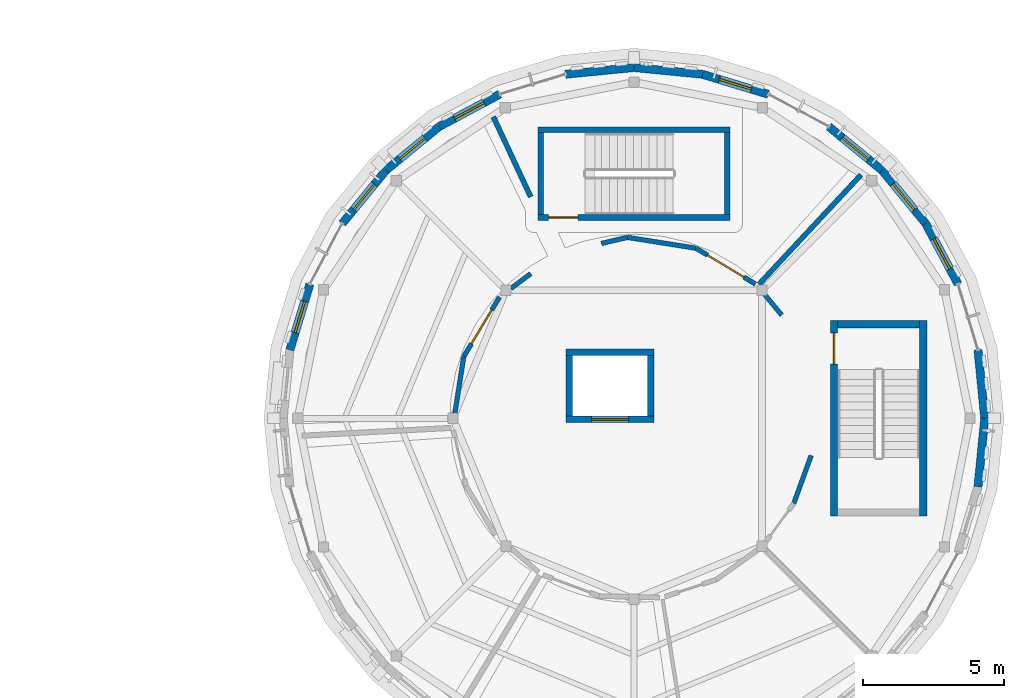
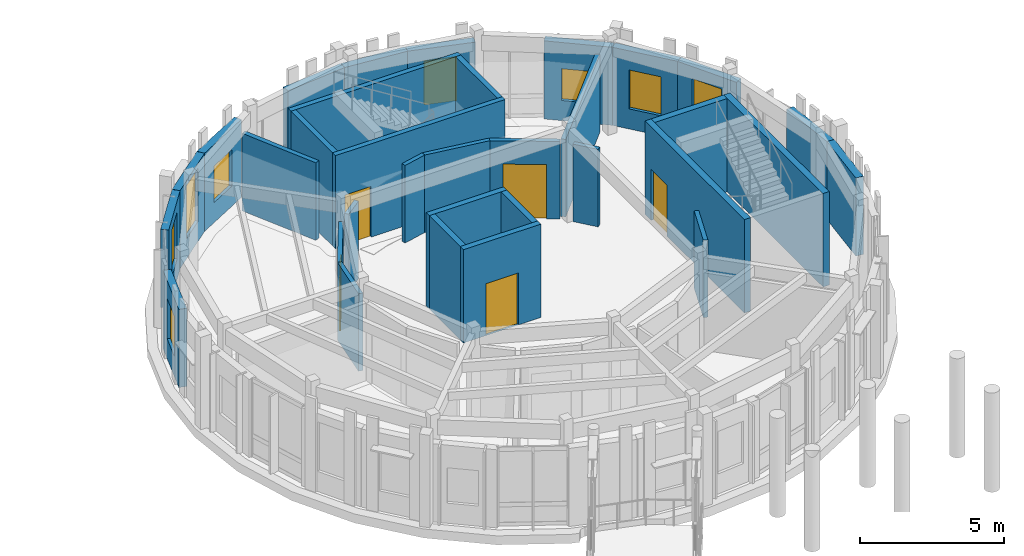
# One storey, part 56 of 80: 33 walls, 8 windows, 5 doors, 13 openings.
"""IFC4 building model written with IfcOpenShell, lengths in metres."""

import ifcopenshell
import ifcopenshell.guid

model = None  # the IFC model being written
_history = None  # IfcOwnerHistory: only IFC2X3 demands one
_inside = {}  # id of a spatial element -> (the spatial element, [elements in it])
_under = {}  # id of a project, library or spatial element -> (it, [spatial elements below it])
_declared = {}  # id of a project -> (the project, [libraries it declares])
_typed = {}  # id of a type object -> (the type object, [elements of that type])
_made_of = {}  # id of a material, layer set ... -> (it, [elements and type objects made of it])


def new_model(schema):
    """Start an empty IFC model of exactly this schema.

    Asked for "IFC4X3", IfcOpenShell would pick the latest addendum, in which some entities
    have other attributes; the version numbers below select the first issue.
    IFC2X3 requires an IfcOwnerHistory on every rooted entity: one is made here for all.
    """
    global model, _history
    if schema == "IFC4X3":
        model = ifcopenshell.file(schema_version=(4, 3, 0, 0))
    else:
        model = ifcopenshell.file(schema=schema)
    _inside.clear()
    _under.clear()
    _declared.clear()
    _typed.clear()
    _made_of.clear()
    _history = None
    if model.schema == "IFC2X3":
        org = make("IfcOrganization", Name="unknown")
        user = make(
            "IfcPersonAndOrganization",
            ThePerson=make("IfcPerson", FamilyName="unknown"),
            TheOrganization=org,
        )
        app = make(
            "IfcApplication",
            ApplicationDeveloper=org,
            Version="unknown",
            ApplicationFullName="unknown",
            ApplicationIdentifier="unknown",
        )
        _history = make(
            "IfcOwnerHistory",
            OwningUser=user,
            OwningApplication=app,
            ChangeAction="ADDED",
            CreationDate=0,
        )
    return model


def make(cls, **values):
    """One entity of the class cls with the attributes given. An attribute that is None is left unset."""
    return model.create_entity(
        cls, **{name: value for name, value in values.items() if value is not None}
    )


def rooted(cls, **values):
    """An entity with a GlobalId (a new one), such as an element, a storey or a relation."""
    return make(cls, GlobalId=ifcopenshell.guid.new(), OwnerHistory=_history, **values)


def si_unit(unit_type, name, prefix=None):
    """IfcSIUnit, for example si_unit("LENGTHUNIT", "METRE", prefix="MILLI")."""
    return make("IfcSIUnit", UnitType=unit_type, Prefix=prefix, Name=name)


def assignment(units):
    """IfcUnitAssignment: the units of a project."""
    return None if units is None else make("IfcUnitAssignment", Units=units)


def point(xyz):
    """IfcCartesianPoint."""
    return None if xyz is None else make("IfcCartesianPoint", Coordinates=xyz)


def direction(xyz):
    """IfcDirection."""
    return None if xyz is None else make("IfcDirection", DirectionRatios=xyz)


def frame(location, z_axis=None, x_axis=None):
    """IfcAxis2Placement3D, a coordinate frame: its origin and axes. An axis left out is left unset."""
    return make(
        "IfcAxis2Placement3D",
        Location=point(location),
        Axis=direction(z_axis),
        RefDirection=direction(x_axis),
    )


def frame_2d(location, x_axis=None):
    """IfcAxis2Placement2D, a coordinate frame in the plane: its origin and x axis."""
    return make(
        "IfcAxis2Placement2D", Location=point(location), RefDirection=direction(x_axis)
    )


def origin():
    """The frame at (0, 0, 0) with its axes left unset."""
    return frame((0.0, 0.0, 0.0))


def place(relative_to, where):
    """IfcLocalPlacement: puts the frame where relative to a parent placement (None: the world)."""
    return make(
        "IfcLocalPlacement", PlacementRelTo=relative_to, RelativePlacement=where
    )


def context(
    kind, dimensions, precision=None, world=None, true_north=None, identifier=None
):
    """IfcGeometricRepresentationContext, for example the 3D "Model" context."""
    return make(
        "IfcGeometricRepresentationContext",
        ContextIdentifier=identifier,
        ContextType=kind,
        CoordinateSpaceDimension=dimensions,
        Precision=precision,
        WorldCoordinateSystem=world,
        TrueNorth=true_north,
    )


def subcontext(parent, identifier, kind, view, scale=None):
    """IfcGeometricRepresentationSubContext, for example "Body" below "Model"."""
    return make(
        "IfcGeometricRepresentationSubContext",
        ContextIdentifier=identifier,
        ContextType=kind,
        ParentContext=parent,
        TargetScale=scale,
        TargetView=view,
    )


def project(units=None, contexts=None):
    """IfcProject with its units and contexts."""
    return rooted(
        "IfcProject",
        Name="project",
        RepresentationContexts=contexts,
        UnitsInContext=assignment(units),
    )


def spatial(cls, under=None, at=None, **own):
    """A site, building, storey or space (cls), placed at a placement, below another one or the project."""
    s = rooted(cls, ObjectPlacement=at, **own)
    if under is not None:
        _under.setdefault(under.id(), (under, []))[1].append(s)
    return s


def profile(cls, at=None, kind="AREA", **sizes):
    """A parametric profile (cls). Its sizes go by their IFC names, for example OverallWidth=200.0."""
    return make(cls, ProfileType=kind, Position=at, **sizes)


def rectangle(**sizes):
    """IfcRectangleProfileDef."""
    return profile("IfcRectangleProfileDef", **sizes)


def extrude(swept, where, along, depth):
    """IfcExtrudedAreaSolid: the profile swept, set in the frame where, extruded along a direction by depth."""
    return make(
        "IfcExtrudedAreaSolid",
        SweptArea=swept,
        Position=where,
        ExtrudedDirection=direction(along),
        Depth=depth,
    )


def shape(context_of_items, identifier, shape_type, items):
    """IfcShapeRepresentation: the items that make up one representation, for example the "Body"."""
    return make(
        "IfcShapeRepresentation",
        ContextOfItems=context_of_items,
        RepresentationIdentifier=identifier,
        RepresentationType=shape_type,
        Items=items,
    )


def material(Name=None, Category=None):
    """IfcMaterial."""
    return make("IfcMaterial", Name=Name, Category=Category)


def layer(
    of_material, thickness, ventilated=None, Name=None, Category=None, Priority=None
):
    """IfcMaterialLayer: one layer of a wall or slab, of a material (None: an air gap)."""
    return make(
        "IfcMaterialLayer",
        Material=of_material,
        LayerThickness=thickness,
        IsVentilated=ventilated,
        Name=Name,
        Category=Category,
        Priority=Priority,
    )


def layer_set(layers, Name=None):
    """IfcMaterialLayerSet."""
    return make("IfcMaterialLayerSet", MaterialLayers=layers, LayerSetName=Name)


def made_of(thing, what):
    """Note that an element or type object is made of a material, layer set ...; save() writes the relation."""
    if what is not None:
        _made_of.setdefault(what.id(), (what, []))[1].append(thing)
    return thing


def type_object(cls, material=None, **own):
    """A type object (cls), such as IfcWallType, which elements share."""
    return made_of(rooted(cls, **own), material)


def element(
    cls,
    number,
    at=None,
    inside=None,
    cuts=None,
    type_object=None,
    material=None,
    context=None,
    identifier="Body",
    shape_type=None,
    held_by="IfcProductDefinitionShape",
    body=None,
    shapes=None,
    **own,
):
    """One element of the class cls, such as IfcWall. Its Tag is "e" and its number.

    at: its placement. inside: the storey or other place that contains it. cuts: it is an
    opening in that element (IfcRelVoidsElement). A single representation is given by context,
    identifier, shape_type and body (its items); several are given by shapes. held_by: the class
    of the entity that holds the representations. save() writes the other relations.
    """
    e = rooted(cls, Tag="e%d" % number, ObjectPlacement=at, **own)
    if body is not None:
        shapes = [shape(context, identifier, shape_type, body)]
    if shapes is not None:
        e.Representation = make(held_by, Representations=shapes)
    if inside is not None:
        _inside.setdefault(inside.id(), (inside, []))[1].append(e)
    if cuts is not None:
        rooted(
            "IfcRelVoidsElement", RelatingBuildingElement=cuts, RelatedOpeningElement=e
        )
    if type_object is not None:
        _typed.setdefault(type_object.id(), (type_object, []))[1].append(e)
    return made_of(e, material)


def fill(opening, filler):
    """IfcRelFillsElement: the door or window that sits in an opening."""
    return rooted(
        "IfcRelFillsElement",
        RelatingOpeningElement=opening,
        RelatedBuildingElement=filler,
    )


def aggregate(whole, parts):
    """IfcRelAggregates: a whole, such as a stair, and the parts it consists of."""
    return rooted("IfcRelAggregates", RelatingObject=whole, RelatedObjects=parts)


def save(model, path):
    """Write the relations noted so far, then the file.

    IfcRelAggregates (storeys below a building ...), IfcRelContainedInSpatialStructure (elements
    in a storey), IfcRelDefinesByType, IfcRelAssociatesMaterial and IfcRelDeclares: one each for
    every whole, place, type object, material and project.
    """
    for whole, parts in _under.values():
        aggregate(whole, parts)
    for where, things in _inside.values():
        rooted(
            "IfcRelContainedInSpatialStructure",
            RelatedElements=things,
            RelatingStructure=where,
        )
    for kind, things in _typed.values():
        rooted("IfcRelDefinesByType", RelatedObjects=things, RelatingType=kind)
    for what, things in _made_of.values():
        rooted("IfcRelAssociatesMaterial", RelatedObjects=things, RelatingMaterial=what)
    for by, libraries in _declared.values():
        rooted("IfcRelDeclares", RelatingContext=by, RelatedDefinitions=libraries)
    model.write(path)


model = new_model("IFC4")

# Units and contexts
model_context = context("Model", 3, precision=1e-05, world=origin(), true_north=direction((0.0, 1.0)))
body_context = subcontext(model_context, "Body", "Model", "MODEL_VIEW")
ifc_project = project(units=[si_unit("LENGTHUNIT", "METRE"), si_unit("AREAUNIT", "SQUARE_METRE"), si_unit("VOLUMEUNIT", "CUBIC_METRE"), si_unit("PLANEANGLEUNIT", "RADIAN"), si_unit("MASSUNIT", "GRAM", prefix="KILO")], contexts=[model_context])

# Site, building, storey
site_placement = place(None, origin())
site = spatial("IfcSite", under=ifc_project, at=site_placement, CompositionType="ELEMENT")
building_placement = place(site_placement, origin())
building = spatial("IfcBuilding", under=site, at=building_placement, Name="Aldenvaro Health Centre", CompositionType="ELEMENT")
storey_placement = place(building_placement, frame((0.0, 0.0, 4.550048828125)))
storey = spatial("IfcBuildingStorey", under=building, at=storey_placement, Name="L01", CompositionType="ELEMENT", Elevation=4.550048828125)

# Wall, opening, door
ifc_material_1 = material(Name="Gypsum Stud Acoustic Assembly")
ifc_layer_1 = layer(ifc_material_1, 0.1650390625, Name="Gypsum Stud Acoustic Assembly")
ifc_layer_set_1 = layer_set([ifc_layer_1], Name="Gypsum Stud Acoustic Assembly")
wall_type_1 = type_object("IfcWallType", Name="WL-COR-165", PredefinedType="PARTITIONING", material=ifc_layer_set_1)
wall_1_placement = place(storey_placement, frame((158.794921875, 104.2451171875, 0.0), z_axis=(0.0, 0.0, 1.0), x_axis=(-0.856349289231, 0.51639703217, 0.0)))
wall_1 = element("IfcWall", 1, at=wall_1_placement, inside=storey, type_object=wall_type_1, Name="D2 L01 corridor wall 01.1", PredefinedType="PARTITIONING", context=body_context, shape_type="SweptSolid", body=[
    extrude(rectangle(XDim=2.453125, YDim=0.1650390625, at=frame_2d((1.2265625, 0.0))), origin(), (0.0, 0.0, 1.0), 3.283935546875),
])
opening_1_placement = place(wall_1_placement, frame((0.47705078125, 0.0, 0.0)))
opening_1 = element("IfcOpeningElement", 2, at=opening_1_placement, cuts=wall_1, Name="Opening SD-01", PredefinedType="OPENING", context=body_context, shape_type="SweptSolid", body=[
    extrude(rectangle(XDim=1.5, YDim=2.300048828125, at=frame_2d((0.75, 1.14990234375))), frame((0.0, 0.092529296875, 0.0), z_axis=(0.0, -1.0, 0.0), x_axis=(1.0, 0.0, 0.0)), (0.0, 0.0, 1.0), 0.18505859375),
])
ifc_material_2 = material(Name="Hygienic Hermetic Theatre Door")
door_type_1 = type_object("IfcDoorType", Name="DR-SRG-150", OperationType="NOTDEFINED", PredefinedType="DOOR", material=ifc_material_2)
door_1_placement = place(opening_1_placement, origin())
door_1 = element("IfcDoor", 3, at=door_1_placement, inside=storey, type_object=door_type_1, Name="Day Surgery Operating Suite 01 Door", OperationType="SINGLE_SWING_LEFT", OverallHeight=2.300048828125, OverallWidth=1.5, PredefinedType="DOOR", context=body_context, shape_type="SweptSolid", body=[
    extrude(rectangle(XDim=1.5, YDim=2.300048828125, at=frame_2d((0.75, 1.14990234375))), frame((0.0, 0.02490234375, 0.0), z_axis=(0.0, -1.0, 0.0), x_axis=(1.0, 0.0, 0.0)), (0.0, 0.0, 1.0), 0.050048828125),
])
fill(opening_1, door_1)

# Walls
wall_2_placement = place(storey_placement, frame((156.694091796875, 105.511962890625, 0.0), z_axis=(0.0, 0.0, 1.0), x_axis=(-0.987672430412, 0.156534884941, 0.0)))
element("IfcWall", 4, at=wall_2_placement, inside=storey, type_object=wall_type_1, Name="D2 L01 corridor wall 01.2", PredefinedType="PARTITIONING", context=body_context, shape_type="SweptSolid", body=[
    extrude(rectangle(XDim=2.453369140625, YDim=0.1650390625, at=frame_2d((1.2265625, 0.0))), origin(), (0.0, 0.0, 1.0), 3.283935546875),
])
wall_3_placement = place(storey_placement, frame((154.27099609375, 105.89599609375, 0.0), z_axis=(0.0, 0.0, 1.0), x_axis=(-0.974019949823, -0.226462220571, 0.0)))
element("IfcWall", 5, at=wall_3_placement, inside=storey, type_object=wall_type_1, Name="D2 L01 corridor wall 01.3", PredefinedType="PARTITIONING", context=body_context, shape_type="SweptSolid", body=[
    extrude(rectangle(XDim=0.945556640625, YDim=0.1650390625, at=frame_2d((0.47265625, 0.0))), origin(), (0.0, 0.0, 1.0), 3.283935546875),
])
wall_4_placement = place(storey_placement, frame((150.85009765625, 104.614013671875, 0.0), z_axis=(0.0, 0.0, 1.0), x_axis=(-0.799731853613, -0.600357362174, 0.0)))
element("IfcWall", 6, at=wall_4_placement, inside=storey, type_object=wall_type_1, Name="D2 L01 corridor wall 02.1", PredefinedType="PARTITIONING", context=body_context, shape_type="SweptSolid", body=[
    extrude(rectangle(XDim=0.874267578125, YDim=0.1650390625, at=frame_2d((0.43701171875, 0.0))), origin(), (0.0, 0.0, 1.0), 3.283935546875),
])

# Wall, opening, door
wall_5_placement = place(storey_placement, frame((149.748046875, 103.787109375, 0.0), z_axis=(0.0, 0.0, 1.0), x_axis=(-0.515197917959, -0.857071237022, 0.0)))
wall_5 = element("IfcWall", 7, at=wall_5_placement, inside=storey, type_object=wall_type_1, Name="D2 L01 corridor wall 02.2", PredefinedType="PARTITIONING", context=body_context, shape_type="SweptSolid", body=[
    extrude(rectangle(XDim=2.453857421875, YDim=0.1650390625, at=frame_2d((1.22705078125, 0.0))), origin(), (0.0, 0.0, 1.0), 3.283935546875),
])
opening_2_placement = place(wall_5_placement, frame((0.527099609375, 0.0, 0.0)))
opening_2 = element("IfcOpeningElement", 8, at=opening_2_placement, cuts=wall_5, Name="Opening SD-02", PredefinedType="OPENING", context=body_context, shape_type="SweptSolid", body=[
    extrude(rectangle(XDim=1.39990234375, YDim=2.25, at=frame_2d((0.699951171875, 1.125))), frame((0.0, 0.092529296875, 0.0), z_axis=(0.0, -1.0, 0.0), x_axis=(1.0, 0.0, 0.0)), (0.0, 0.0, 1.0), 0.18505859375),
])
ifc_material_3 = material(Name="Hygienic Scrub Suite Door")
door_type_2 = type_object("IfcDoorType", Name="DR-SRG-140", OperationType="NOTDEFINED", PredefinedType="DOOR", material=ifc_material_3)
door_2_placement = place(opening_2_placement, origin())
door_2 = element("IfcDoor", 9, at=door_2_placement, inside=storey, type_object=door_type_2, Name="Day Surgery Operating Suite 02 Door", OperationType="SINGLE_SWING_RIGHT", OverallHeight=2.25, OverallWidth=1.39990234375, PredefinedType="DOOR", context=body_context, shape_type="SweptSolid", body=[
    extrude(rectangle(XDim=1.39990234375, YDim=2.25, at=frame_2d((0.699951171875, 1.125))), frame((0.0, 0.02490234375, 0.0), z_axis=(0.0, -1.0, 0.0), x_axis=(1.0, 0.0, 0.0)), (0.0, 0.0, 1.0), 0.050048828125),
])
fill(opening_2, door_2)

# Walls
wall_6_placement = place(storey_placement, frame((148.48388671875, 101.68408203125, 0.0), z_axis=(0.0, 0.0, 1.0), x_axis=(-0.154797832722, -0.98794616806, 0.0)))
element("IfcWall", 10, at=wall_6_placement, inside=storey, type_object=wall_type_1, Name="D2 L01 corridor wall 02.3", PredefinedType="PARTITIONING", context=body_context, shape_type="SweptSolid", body=[
    extrude(rectangle(XDim=2.034423828125, YDim=0.1650390625, at=frame_2d((1.01708984375, 0.0))), origin(), (0.0, 0.0, 1.0), 3.283935546875),
])
wall_7_placement = place(storey_placement, frame((160.15087890625, 96.4951171875, 0.0), z_axis=(0.0, 0.0, 1.0), x_axis=(0.340838314518, 0.940121930048, 0.0)))
element("IfcWall", 11, at=wall_7_placement, inside=storey, type_object=wall_type_1, Name="D2 L01 corridor wall 06.2", PredefinedType="PARTITIONING", context=body_context, shape_type="SweptSolid", body=[
    extrude(rectangle(XDim=1.798583984375, YDim=0.1650390625, at=frame_2d((0.8994140625, 0.0))), origin(), (0.0, 0.0, 1.0), 3.283935546875),
])
wall_8_placement = place(storey_placement, frame((159.721923828125, 103.14990234375, 0.0), z_axis=(0.0, 0.0, 1.0), x_axis=(-0.639179373109, 0.769057688988, 0.0)))
element("IfcWall", 12, at=wall_8_placement, inside=storey, type_object=wall_type_1, Name="D2 L01 corridor wall 07.1", PredefinedType="PARTITIONING", context=body_context, shape_type="SweptSolid", body=[
    extrude(rectangle(XDim=0.932373046875, YDim=0.1650390625, at=frame_2d((0.46630859375, 0.0))), origin(), (0.0, 0.0, 1.0), 3.283935546875),
])
ifc_material_4 = material(Name="Cross-laminated timber CLT E1", Category="wood")
ifc_layer_2 = layer(ifc_material_4, 0.2900390625, Name="Cross-laminated timber CLT E1", Category="wood")
ifc_layer_set_2 = layer_set([ifc_layer_2], Name="Cross-laminated timber CLT E1")
wall_type_2 = type_object("IfcWallType", Name="WL-EXT-290", PredefinedType="ELEMENTEDWALL", material=ifc_layer_set_2)
wall_9_placement = place(storey_placement, frame((166.89990234375, 99.5, 0.0), z_axis=(0.0, 0.0, 1.0), x_axis=(-0.097832820839, -0.995202863323, 0.0)))
element("IfcWall", 13, at=wall_9_placement, inside=storey, type_object=wall_type_2, Name="D2 L01 exterior wall 01", PredefinedType="ELEMENTEDWALL", context=body_context, shape_type="SweptSolid", body=[
    extrude(rectangle(XDim=2.4306640625, YDim=0.2900390625, at=frame_2d((1.21533203125, 0.0))), origin(), (0.0, 0.0, 1.0), 3.308837890625),
])

# Wall, opening, window
wall_10_placement = place(storey_placement, frame((142.337890625, 101.9189453125, 0.0), z_axis=(0.0, 0.0, 1.0), x_axis=(0.290442193951, 0.956892539407, 0.0)))
wall_10 = element("IfcWall", 14, at=wall_10_placement, inside=storey, type_object=wall_type_2, Name="D2 L01 exterior wall 18", PredefinedType="ELEMENTEDWALL", context=body_context, shape_type="SweptSolid", body=[
    extrude(rectangle(XDim=2.430908203125, YDim=0.2900390625, at=frame_2d((1.21533203125, 0.0))), origin(), (0.0, 0.0, 1.0), 3.308837890625),
])
opening_3_placement = place(wall_10_placement, frame((0.639892578125, 0.0, 0.85009765625)))
opening_3 = element("IfcOpeningElement", 15, at=opening_3_placement, cuts=wall_10, Name="Opening W-31", PredefinedType="OPENING", context=body_context, shape_type="SweptSolid", body=[
    extrude(rectangle(XDim=1.14990234375, YDim=1.699951171875, at=frame_2d((0.574951171875, 0.85009765625))), frame((0.0, 0.155029296875, 0.0), z_axis=(0.0, -1.0, 0.0), x_axis=(1.0, 0.0, 0.0)), (0.0, 0.0, 1.0), 0.31005859375),
])
ifc_material_5 = material(Name="Thermally Broken Aluminium Low-E Glass", Category="aluminium")
window_type_1 = type_object("IfcWindowType", Name="WN-EXT-31", PartitioningType="SINGLE_PANEL", PredefinedType="WINDOW", material=ifc_material_5)
window_1_placement = place(opening_3_placement, origin())
window_1 = element("IfcWindow", 16, at=window_1_placement, inside=storey, type_object=window_type_1, Name="D2 L01 clinical window 18", OverallHeight=1.699951171875, OverallWidth=1.14990234375, PartitioningType="SINGLE_PANEL", PredefinedType="WINDOW", context=body_context, shape_type="SweptSolid", body=[
    extrude(rectangle(XDim=1.14990234375, YDim=1.699951171875, at=frame_2d((0.574951171875, 0.85009765625))), frame((0.0, 0.030029296875, 0.0), z_axis=(0.0, -1.0, 0.0), x_axis=(1.0, 0.0, 0.0)), (0.0, 0.0, 1.0), 0.06005859375),
])
fill(opening_3, window_1)

wall_11_placement = place(storey_placement, frame((144.18994140625, 106.388916015625, 0.0), z_axis=(0.0, 0.0, 1.0), x_axis=(0.634347392822, 0.773048113134, 0.0)))
wall_11 = element("IfcWall", 17, at=wall_11_placement, inside=storey, type_object=wall_type_2, Name="D2 L01 exterior wall 20", PredefinedType="ELEMENTEDWALL", context=body_context, shape_type="SweptSolid", body=[
    extrude(rectangle(XDim=2.430908203125, YDim=0.2900390625, at=frame_2d((1.21533203125, 0.0))), origin(), (0.0, 0.0, 1.0), 3.308837890625),
])
opening_4_placement = place(wall_11_placement, frame((0.639892578125, 0.0, 0.85009765625)))
opening_4 = element("IfcOpeningElement", 18, at=opening_4_placement, cuts=wall_11, Name="Opening W-32", PredefinedType="OPENING", context=body_context, shape_type="SweptSolid", body=[
    extrude(rectangle(XDim=1.14990234375, YDim=2.0, at=frame_2d((0.574951171875, 1.0))), frame((0.0, 0.155029296875, 0.0), z_axis=(0.0, -1.0, 0.0), x_axis=(1.0, 0.0, 0.0)), (0.0, 0.0, 1.0), 0.31005859375),
])
window_type_2 = type_object("IfcWindowType", Name="WN-EXT-32", PartitioningType="SINGLE_PANEL", PredefinedType="WINDOW", material=ifc_material_5)
window_2_placement = place(opening_4_placement, origin())
window_2 = element("IfcWindow", 19, at=window_2_placement, inside=storey, type_object=window_type_2, Name="D2 L01 clinical window 20", OverallHeight=2.0, OverallWidth=1.14990234375, PartitioningType="SINGLE_PANEL", PredefinedType="WINDOW", context=body_context, shape_type="SweptSolid", body=[
    extrude(rectangle(XDim=1.14990234375, YDim=2.0, at=frame_2d((0.574951171875, 1.0))), frame((0.0, 0.030029296875, 0.0), z_axis=(0.0, -1.0, 0.0), x_axis=(1.0, 0.0, 0.0)), (0.0, 0.0, 1.0), 0.06005859375),
])
fill(opening_4, window_2)

wall_12_placement = place(storey_placement, frame((145.73193359375, 108.26806640625, 0.0), z_axis=(0.0, 0.0, 1.0), x_axis=(0.773048113134, 0.634347392822, 0.0)))
wall_12 = element("IfcWall", 20, at=wall_12_placement, inside=storey, type_object=wall_type_2, Name="D2 L01 exterior wall 21", PredefinedType="ELEMENTEDWALL", context=body_context, shape_type="SweptSolid", body=[
    extrude(rectangle(XDim=2.430908203125, YDim=0.2900390625, at=frame_2d((1.21533203125, 0.0))), origin(), (0.0, 0.0, 1.0), 3.308837890625),
])
opening_5_placement = place(wall_12_placement, frame((0.639892578125, 0.0, 0.85009765625)))
opening_5 = element("IfcOpeningElement", 21, at=opening_5_placement, cuts=wall_12, Name="Opening W-33", PredefinedType="OPENING", context=body_context, shape_type="SweptSolid", body=[
    extrude(rectangle(XDim=1.14990234375, YDim=2.25, at=frame_2d((0.574951171875, 1.125))), frame((0.0, 0.155029296875, 0.0), z_axis=(0.0, -1.0, 0.0), x_axis=(1.0, 0.0, 0.0)), (0.0, 0.0, 1.0), 0.31005859375),
])
window_type_3 = type_object("IfcWindowType", Name="WN-EXT-33", PartitioningType="SINGLE_PANEL", PredefinedType="WINDOW", material=ifc_material_5)
window_3_placement = place(opening_5_placement, origin())
window_3 = element("IfcWindow", 22, at=window_3_placement, inside=storey, type_object=window_type_3, Name="D2 L01 clinical window 21", OverallHeight=2.25, OverallWidth=1.14990234375, PartitioningType="SINGLE_PANEL", PredefinedType="WINDOW", context=body_context, shape_type="SweptSolid", body=[
    extrude(rectangle(XDim=1.14990234375, YDim=2.25, at=frame_2d((0.574951171875, 1.125))), frame((0.0, 0.030029296875, 0.0), z_axis=(0.0, -1.0, 0.0), x_axis=(1.0, 0.0, 0.0)), (0.0, 0.0, 1.0), 0.06005859375),
])
fill(opening_5, window_3)

wall_13_placement = place(storey_placement, frame((147.611083984375, 109.81005859375, 0.0), z_axis=(0.0, 0.0, 1.0), x_axis=(0.881902152415, 0.471432490996, 0.0)))
wall_13 = element("IfcWall", 23, at=wall_13_placement, inside=storey, type_object=wall_type_2, Name="D2 L01 exterior wall 22", PredefinedType="ELEMENTEDWALL", context=body_context, shape_type="SweptSolid", body=[
    extrude(rectangle(XDim=2.430908203125, YDim=0.2900390625, at=frame_2d((1.21533203125, 0.0))), origin(), (0.0, 0.0, 1.0), 3.308837890625),
])
opening_6_placement = place(wall_13_placement, frame((0.6259765625, 0.0, 0.85009765625)))
opening_6 = element("IfcOpeningElement", 24, at=opening_6_placement, cuts=wall_13, Name="Opening W-34", PredefinedType="OPENING", context=body_context, shape_type="SweptSolid", body=[
    extrude(rectangle(XDim=1.179931640625, YDim=1.550048828125, at=frame_2d((0.58984375, 0.77490234375))), frame((0.0, 0.155029296875, 0.0), z_axis=(0.0, -1.0, 0.0), x_axis=(1.0, 0.0, 0.0)), (0.0, 0.0, 1.0), 0.31005859375),
])
window_type_4 = type_object("IfcWindowType", Name="WN-EXT-34", PartitioningType="SINGLE_PANEL", PredefinedType="WINDOW", material=ifc_material_5)
window_4_placement = place(opening_6_placement, origin())
window_4 = element("IfcWindow", 25, at=window_4_placement, inside=storey, type_object=window_type_4, Name="D2 L01 clinical window 22", OverallHeight=1.550048828125, OverallWidth=1.179931640625, PartitioningType="SINGLE_PANEL", PredefinedType="WINDOW", context=body_context, shape_type="SweptSolid", body=[
    extrude(rectangle(XDim=1.179931640625, YDim=1.550048828125, at=frame_2d((0.58984375, 0.77490234375))), frame((0.0, 0.030029296875, 0.0), z_axis=(0.0, -1.0, 0.0), x_axis=(1.0, 0.0, 0.0)), (0.0, 0.0, 1.0), 0.06005859375),
])
fill(opening_6, window_4)

# Walls
for number, where, z_axis, x_axis, name in (
    (26, (152.0810546875, 111.662109375, 0.0), (0.0, 0.0, 1.0), (0.995202863323, 0.097832820839, 0.0), "D2 L01 exterior wall 24"),
    (27, (154.5, 111.89990234375, 0.0), (0.0, 0.0, 1.0), (0.995202863323, -0.097832820839, 0.0), "D2 L01 exterior wall 25"),
):
    element("IfcWall", number, at=place(storey_placement, frame(where, z_axis=z_axis, x_axis=x_axis)), inside=storey, type_object=wall_type_2, Name=name, PredefinedType="ELEMENTEDWALL", context=body_context, shape_type="SweptSolid", body=[
        extrude(rectangle(XDim=2.4306640625, YDim=0.2900390625, at=frame_2d((1.21533203125, 0.0))), origin(), (0.0, 0.0, 1.0), 3.308837890625),
    ])

# Wall, opening, window
wall_14_placement = place(storey_placement, frame((156.9189453125, 111.662109375, 0.0), z_axis=(0.0, 0.0, 1.0), x_axis=(0.956892539407, -0.290442193951, 0.0)))
wall_14 = element("IfcWall", 28, at=wall_14_placement, inside=storey, type_object=wall_type_2, Name="D2 L01 exterior wall 26", PredefinedType="ELEMENTEDWALL", context=body_context, shape_type="SweptSolid", body=[
    extrude(rectangle(XDim=2.430908203125, YDim=0.2900390625, at=frame_2d((1.21533203125, 0.0))), origin(), (0.0, 0.0, 1.0), 3.308837890625),
])
opening_7_placement = place(wall_14_placement, frame((0.625, 0.0, 0.85009765625)))
opening_7 = element("IfcOpeningElement", 29, at=opening_7_placement, cuts=wall_14, Name="Opening W-35", PredefinedType="OPENING", context=body_context, shape_type="SweptSolid", body=[
    extrude(rectangle(XDim=1.179931640625, YDim=1.85009765625, at=frame_2d((0.58984375, 0.925048828125))), frame((0.0, 0.155029296875, 0.0), z_axis=(0.0, -1.0, 0.0), x_axis=(1.0, 0.0, 0.0)), (0.0, 0.0, 1.0), 0.31005859375),
])
window_type_5 = type_object("IfcWindowType", Name="WN-EXT-35", PartitioningType="SINGLE_PANEL", PredefinedType="WINDOW", material=ifc_material_5)
window_5_placement = place(opening_7_placement, origin())
window_5 = element("IfcWindow", 30, at=window_5_placement, inside=storey, type_object=window_type_5, Name="D2 L01 clinical window 26", OverallHeight=1.85009765625, OverallWidth=1.179931640625, PartitioningType="SINGLE_PANEL", PredefinedType="WINDOW", context=body_context, shape_type="SweptSolid", body=[
    extrude(rectangle(XDim=1.179931640625, YDim=1.85009765625, at=frame_2d((0.58984375, 0.925048828125))), frame((0.0, 0.030029296875, 0.0), z_axis=(0.0, -1.0, 0.0), x_axis=(1.0, 0.0, 0.0)), (0.0, 0.0, 1.0), 0.06005859375),
])
fill(opening_7, window_5)

wall_15_placement = place(storey_placement, frame((161.388916015625, 109.81005859375, 0.0), z_axis=(0.0, 0.0, 1.0), x_axis=(0.773048113134, -0.634347392822, 0.0)))
wall_15 = element("IfcWall", 31, at=wall_15_placement, inside=storey, type_object=wall_type_2, Name="D2 L01 exterior wall 28", PredefinedType="ELEMENTEDWALL", context=body_context, shape_type="SweptSolid", body=[
    extrude(rectangle(XDim=2.430908203125, YDim=0.2900390625, at=frame_2d((1.21533203125, 0.0))), origin(), (0.0, 0.0, 1.0), 3.308837890625),
])
opening_8_placement = place(wall_15_placement, frame((0.614990234375, 0.0, 0.85009765625)))
opening_8 = element("IfcOpeningElement", 32, at=opening_8_placement, cuts=wall_15, Name="Opening W-36", PredefinedType="OPENING", context=body_context, shape_type="SweptSolid", body=[
    extrude(rectangle(XDim=1.199951171875, YDim=1.35009765625, at=frame_2d((0.60009765625, 0.675048828125))), frame((0.0, 0.155029296875, 0.0), z_axis=(0.0, -1.0, 0.0), x_axis=(1.0, 0.0, 0.0)), (0.0, 0.0, 1.0), 0.31005859375),
])
window_type_6 = type_object("IfcWindowType", Name="WN-EXT-36", PartitioningType="SINGLE_PANEL", PredefinedType="WINDOW", material=ifc_material_5)
window_6_placement = place(opening_8_placement, origin())
window_6 = element("IfcWindow", 33, at=window_6_placement, inside=storey, type_object=window_type_6, Name="D2 L01 clinical window 28", OverallHeight=1.35009765625, OverallWidth=1.199951171875, PartitioningType="SINGLE_PANEL", PredefinedType="WINDOW", context=body_context, shape_type="SweptSolid", body=[
    extrude(rectangle(XDim=1.199951171875, YDim=1.35009765625, at=frame_2d((0.60009765625, 0.675048828125))), frame((0.0, 0.030029296875, 0.0), z_axis=(0.0, -1.0, 0.0), x_axis=(1.0, 0.0, 0.0)), (0.0, 0.0, 1.0), 0.06005859375),
])
fill(opening_8, window_6)

wall_16_placement = place(storey_placement, frame((163.26806640625, 108.26806640625, 0.0), z_axis=(0.0, 0.0, 1.0), x_axis=(0.634347392822, -0.773048113134, 0.0)))
wall_16 = element("IfcWall", 34, at=wall_16_placement, inside=storey, type_object=wall_type_2, Name="D2 L01 exterior wall 29", PredefinedType="ELEMENTEDWALL", context=body_context, shape_type="SweptSolid", body=[
    extrude(rectangle(XDim=2.430908203125, YDim=0.2900390625, at=frame_2d((1.21533203125, 0.0))), origin(), (0.0, 0.0, 1.0), 3.308837890625),
])
opening_9_placement = place(wall_16_placement, frame((0.614990234375, 0.0, 0.85009765625)))
opening_9 = element("IfcOpeningElement", 35, at=opening_9_placement, cuts=wall_16, Name="Opening W-37", PredefinedType="OPENING", context=body_context, shape_type="SweptSolid", body=[
    extrude(rectangle(XDim=1.199951171875, YDim=1.64990234375, at=frame_2d((0.60009765625, 0.824951171875))), frame((0.0, 0.155029296875, 0.0), z_axis=(0.0, -1.0, 0.0), x_axis=(1.0, 0.0, 0.0)), (0.0, 0.0, 1.0), 0.31005859375),
])
window_type_7 = type_object("IfcWindowType", Name="WN-EXT-37", PartitioningType="SINGLE_PANEL", PredefinedType="WINDOW", material=ifc_material_5)
window_7_placement = place(opening_9_placement, origin())
window_7 = element("IfcWindow", 36, at=window_7_placement, inside=storey, type_object=window_type_7, Name="D2 L01 clinical window 29", OverallHeight=1.64990234375, OverallWidth=1.199951171875, PartitioningType="SINGLE_PANEL", PredefinedType="WINDOW", context=body_context, shape_type="SweptSolid", body=[
    extrude(rectangle(XDim=1.199951171875, YDim=1.64990234375, at=frame_2d((0.60009765625, 0.824951171875))), frame((0.0, 0.030029296875, 0.0), z_axis=(0.0, -1.0, 0.0), x_axis=(1.0, 0.0, 0.0)), (0.0, 0.0, 1.0), 0.06005859375),
])
fill(opening_9, window_7)

wall_17_placement = place(storey_placement, frame((164.81005859375, 106.388916015625, 0.0), z_axis=(0.0, 0.0, 1.0), x_axis=(0.471432490996, -0.881902152415, 0.0)))
wall_17 = element("IfcWall", 37, at=wall_17_placement, inside=storey, type_object=wall_type_2, Name="D2 L01 exterior wall 30", PredefinedType="ELEMENTEDWALL", context=body_context, shape_type="SweptSolid", body=[
    extrude(rectangle(XDim=2.430908203125, YDim=0.2900390625, at=frame_2d((1.21533203125, 0.0))), origin(), (0.0, 0.0, 1.0), 3.308837890625),
])
opening_10_placement = place(wall_17_placement, frame((0.615966796875, 0.0, 0.85009765625)))
opening_10 = element("IfcOpeningElement", 38, at=opening_10_placement, cuts=wall_17, Name="Opening W-38", PredefinedType="OPENING", context=body_context, shape_type="SweptSolid", body=[
    extrude(rectangle(XDim=1.199951171875, YDim=1.949951171875, at=frame_2d((0.60009765625, 0.97509765625))), frame((0.0, 0.155029296875, 0.0), z_axis=(0.0, -1.0, 0.0), x_axis=(1.0, 0.0, 0.0)), (0.0, 0.0, 1.0), 0.31005859375),
])
window_type_8 = type_object("IfcWindowType", Name="WN-EXT-38", PartitioningType="SINGLE_PANEL", PredefinedType="WINDOW", material=ifc_material_5)
window_8_placement = place(opening_10_placement, origin())
window_8 = element("IfcWindow", 39, at=window_8_placement, inside=storey, type_object=window_type_8, Name="D2 L01 clinical window 30", OverallHeight=1.949951171875, OverallWidth=1.199951171875, PartitioningType="SINGLE_PANEL", PredefinedType="WINDOW", context=body_context, shape_type="SweptSolid", body=[
    extrude(rectangle(XDim=1.199951171875, YDim=1.949951171875, at=frame_2d((0.60009765625, 0.97509765625))), frame((0.0, 0.030029296875, 0.0), z_axis=(0.0, -1.0, 0.0), x_axis=(1.0, 0.0, 0.0)), (0.0, 0.0, 1.0), 0.06005859375),
])
fill(opening_10, window_8)

# Wall
wall_18_placement = place(storey_placement, frame((166.662109375, 101.9189453125, 0.0), z_axis=(0.0, 0.0, 1.0), x_axis=(0.097832820839, -0.995202863323, 0.0)))
element("IfcWall", 40, at=wall_18_placement, inside=storey, type_object=wall_type_2, Name="D2 L01 exterior wall 32", PredefinedType="ELEMENTEDWALL", context=body_context, shape_type="SweptSolid", body=[
    extrude(rectangle(XDim=2.4306640625, YDim=0.2900390625, at=frame_2d((1.21533203125, 0.0))), origin(), (0.0, 0.0, 1.0), 3.308837890625),
])

# Wall, opening, door
ifc_material_6 = material(Name="Concrete f'c 40 MPa", Category="concrete")
ifc_layer_3 = layer(ifc_material_6, 0.199951171875, Name="Concrete f'c 40 MPa", Category="concrete")
ifc_layer_set_3 = layer_set([ifc_layer_3], Name="Concrete f'c 40 MPa")
wall_type_3 = type_object("IfcWallType", Name="WL-SHAFT-200", PredefinedType="SHEAR", material=ifc_layer_set_3)
wall_19_placement = place(storey_placement, frame((151.10009765625, 106.60009765625, 0.0), z_axis=(0.0, 0.0, 1.0), x_axis=(1.0, 0.0, 0.0)))
wall_19 = element("IfcWall", 41, at=wall_19_placement, inside=storey, type_object=wall_type_3, Name="ST-04 L01 inner core wall", PredefinedType="SHEAR", context=body_context, shape_type="SweptSolid", body=[
    extrude(rectangle(XDim=6.7998046875, YDim=0.199951171875, at=frame_2d((3.39990234375, 0.0))), origin(), (0.0, 0.0, 1.0), 3.954833984375),
])
opening_11_placement = place(wall_19_placement, frame((0.3798828125, 0.0, 0.0)))
opening_11 = element("IfcOpeningElement", 42, at=opening_11_placement, cuts=wall_19, Name="Opening FD-02", PredefinedType="OPENING", context=body_context, shape_type="SweptSolid", body=[
    extrude(rectangle(XDim=1.050048828125, YDim=2.14990234375, at=frame_2d((0.52490234375, 1.074951171875))), frame((0.0, 0.10986328125, 0.0), z_axis=(0.0, -1.0, 0.0), x_axis=(1.0, 0.0, 0.0)), (0.0, 0.0, 1.0), 0.219970703125),
])
ifc_material_7 = material(Name="Fire-Rated Steel Door Assembly", Category="steel")
door_type_3 = type_object("IfcDoorType", Name="DR-STAIR-105", OperationType="NOTDEFINED", PredefinedType="DOOR", material=ifc_material_7)
door_3_placement = place(opening_11_placement, origin())
door_3 = element("IfcDoor", 43, at=door_3_placement, inside=storey, type_object=door_type_3, Name="ST-04 L01 fire stair door", OperationType="SINGLE_SWING_RIGHT", OverallHeight=2.14990234375, OverallWidth=1.050048828125, PredefinedType="DOOR", context=body_context, shape_type="SweptSolid", body=[
    extrude(rectangle(XDim=1.050048828125, YDim=2.14990234375, at=frame_2d((0.52490234375, 1.074951171875))), frame((0.0, 0.02490234375, 0.0), z_axis=(0.0, -1.0, 0.0), x_axis=(1.0, 0.0, 0.0)), (0.0, 0.0, 1.0), 0.050048828125),
])
fill(opening_11, door_3)

# Walls
wall_20_placement = place(storey_placement, frame((151.10009765625, 109.699951171875, 0.0), z_axis=(0.0, 0.0, 1.0), x_axis=(1.0, 0.0, 0.0)))
element("IfcWall", 44, at=wall_20_placement, inside=storey, type_object=wall_type_3, Name="ST-04 L01 far core wall", PredefinedType="SHEAR", context=body_context, shape_type="SweptSolid", body=[
    extrude(rectangle(XDim=6.7998046875, YDim=0.199951171875, at=frame_2d((3.39990234375, 0.0))), origin(), (0.0, 0.0, 1.0), 3.954833984375),
])
for number, where, z_axis, x_axis, name in (
    (45, (151.199951171875, 106.699951171875, 0.0), (0.0, 0.0, 1.0), (0.0, 1.0, 0.0), "ST-04 L01 side core wall L"),
    (46, (157.800048828125, 106.699951171875, 0.0), (0.0, 0.0, 1.0), (0.0, 1.0, 0.0), "ST-04 L01 side core wall R"),
):
    element("IfcWall", number, at=place(storey_placement, frame(where, z_axis=z_axis, x_axis=x_axis)), inside=storey, type_object=wall_type_3, Name=name, PredefinedType="SHEAR", context=body_context, shape_type="SweptSolid", body=[
        extrude(rectangle(XDim=2.900146484375, YDim=0.199951171875, at=frame_2d((1.4501953125, 0.0))), origin(), (0.0, 0.0, 1.0), 3.954833984375),
    ])

# Wall, opening, door
ifc_layer_4 = layer(ifc_material_6, 0.22509765625, Name="Concrete f'c 40 MPa", Category="concrete")
ifc_layer_set_4 = layer_set([ifc_layer_4], Name="Concrete f'c 40 MPa")
wall_type_4 = type_object("IfcWallType", Name="WL-SHAFT-225", PredefinedType="SHEAR", material=ifc_layer_set_4)
wall_21_placement = place(storey_placement, frame((152.10009765625, 99.462890625, 0.0), z_axis=(0.0, 0.0, 1.0), x_axis=(1.0, 0.0, 0.0)))
wall_21 = element("IfcWall", 47, at=wall_21_placement, inside=storey, type_object=wall_type_4, Name="LF-02 L01 lift shaft front wall", PredefinedType="SHEAR", context=body_context, shape_type="SweptSolid", body=[
    extrude(rectangle(XDim=3.099853515625, YDim=0.22509765625, at=frame_2d((1.5498046875, 0.0))), origin(), (0.0, 0.0, 1.0), 3.954833984375),
])
opening_12_placement = place(wall_21_placement, frame((0.89990234375, 0.0, 0.0)))
opening_12 = element("IfcOpeningElement", 48, at=opening_12_placement, cuts=wall_21, Name="Opening LD-02", PredefinedType="OPENING", context=body_context, shape_type="SweptSolid", body=[
    extrude(rectangle(XDim=1.300048828125, YDim=2.199951171875, at=frame_2d((0.64990234375, 1.10009765625))), frame((0.0, 0.12255859375, 0.0), z_axis=(0.0, -1.0, 0.0), x_axis=(1.0, 0.0, 0.0)), (0.0, 0.0, 1.0), 0.2451171875),
])
ifc_material_8 = material(Name="Stainless Steel Stretcher Landing Door", Category="steel")
door_type_4 = type_object("IfcDoorType", Name="DR-LIFT-130", OperationType="DOUBLE_DOOR_SLIDING", PredefinedType="DOOR", material=ifc_material_8)
door_4_placement = place(opening_12_placement, origin())
door_4 = element("IfcDoor", 49, at=door_4_placement, inside=storey, type_object=door_type_4, Name="Lift LF-02 L01 Sliding Landing Door", OperationType="DOUBLE_DOOR_SLIDING", OverallHeight=2.199951171875, OverallWidth=1.300048828125, PredefinedType="DOOR", context=body_context, shape_type="SweptSolid", body=[
    extrude(rectangle(XDim=1.300048828125, YDim=2.199951171875, at=frame_2d((0.64990234375, 1.10009765625))), frame((0.0, 0.02490234375, 0.0), z_axis=(0.0, -1.0, 0.0), x_axis=(1.0, 0.0, 0.0)), (0.0, 0.0, 1.0), 0.050048828125),
])
fill(opening_12, door_4)

# Walls
wall_22_placement = place(storey_placement, frame((152.10009765625, 101.837890625, 0.0), z_axis=(0.0, 0.0, 1.0), x_axis=(1.0, 0.0, 0.0)))
element("IfcWall", 50, at=wall_22_placement, inside=storey, type_object=wall_type_4, Name="LF-02 L01 lift shaft rear wall", PredefinedType="SHEAR", context=body_context, shape_type="SweptSolid", body=[
    extrude(rectangle(XDim=3.099853515625, YDim=0.22509765625, at=frame_2d((1.5498046875, 0.0))), origin(), (0.0, 0.0, 1.0), 3.954833984375),
])
for number, where, z_axis, x_axis, name in (
    (51, (152.212890625, 99.574951171875, 0.0), (0.0, 0.0, 1.0), (0.0, 1.0, 0.0), "LF-02 L01 lift shaft side wall L"),
    (52, (155.087890625, 99.574951171875, 0.0), (0.0, 0.0, 1.0), (0.0, 1.0, 0.0), "LF-02 L01 lift shaft side wall R"),
):
    element("IfcWall", number, at=place(storey_placement, frame(where, z_axis=z_axis, x_axis=x_axis)), inside=storey, type_object=wall_type_4, Name=name, PredefinedType="SHEAR", context=body_context, shape_type="SweptSolid", body=[
        extrude(rectangle(XDim=2.150146484375, YDim=0.22509765625, at=frame_2d((1.0751953125, 0.0))), origin(), (0.0, 0.0, 1.0), 3.954833984375),
    ])

# Wall, opening, door
ifc_layer_5 = layer(ifc_material_6, 0.25, Name="Concrete f'c 40 MPa", Category="concrete")
ifc_layer_set_5 = layer_set([ifc_layer_5], Name="Concrete f'c 40 MPa")
wall_type_5 = type_object("IfcWallType", Name="WL-SHAFT-250", PredefinedType="SHEAR", material=ifc_layer_set_5)
wall_23_placement = place(storey_placement, frame((161.574951171875, 102.949951171875, 0.0), z_axis=(0.0, 0.0, 1.0), x_axis=(0.0, -1.0, 0.0)))
wall_23 = element("IfcWall", 53, at=wall_23_placement, inside=storey, type_object=wall_type_5, Name="ST-03 L01 inner core wall", PredefinedType="SHEAR", context=body_context, shape_type="SweptSolid", body=[
    extrude(rectangle(XDim=6.89990234375, YDim=0.25, at=frame_2d((3.449951171875, 0.0))), origin(), (0.0, 0.0, 1.0), 3.954833984375),
])
opening_13_placement = place(wall_23_placement, frame((0.429931640625, 0.0, 0.0)))
opening_13 = element("IfcOpeningElement", 54, at=opening_13_placement, cuts=wall_23, Name="Opening FD-01", PredefinedType="OPENING", context=body_context, shape_type="SweptSolid", body=[
    extrude(rectangle(XDim=1.10009765625, YDim=2.14990234375, at=frame_2d((0.550048828125, 1.074951171875))), frame((0.0, 0.135009765625, 0.0), z_axis=(0.0, -1.0, 0.0), x_axis=(1.0, 0.0, 0.0)), (0.0, 0.0, 1.0), 0.27001953125),
])
door_type_5 = type_object("IfcDoorType", Name="DR-STAIR-110", OperationType="NOTDEFINED", PredefinedType="DOOR", material=ifc_material_7)
door_5_placement = place(opening_13_placement, origin())
door_5 = element("IfcDoor", 55, at=door_5_placement, inside=storey, type_object=door_type_5, Name="ST-03 L01 fire stair door", OperationType="SINGLE_SWING_LEFT", OverallHeight=2.14990234375, OverallWidth=1.10009765625, PredefinedType="DOOR", context=body_context, shape_type="SweptSolid", body=[
    extrude(rectangle(XDim=1.10009765625, YDim=2.14990234375, at=frame_2d((0.550048828125, 1.074951171875))), frame((0.0, 0.02490234375, 0.0), z_axis=(0.0, -1.0, 0.0), x_axis=(1.0, 0.0, 0.0)), (0.0, 0.0, 1.0), 0.050048828125),
])
fill(opening_13, door_5)

# Walls
wall_24_placement = place(storey_placement, frame((164.72509765625, 102.949951171875, 0.0), z_axis=(0.0, 0.0, 1.0), x_axis=(0.0, -1.0, 0.0)))
element("IfcWall", 56, at=wall_24_placement, inside=storey, type_object=wall_type_5, Name="ST-03 L01 far core wall", PredefinedType="SHEAR", context=body_context, shape_type="SweptSolid", body=[
    extrude(rectangle(XDim=6.89990234375, YDim=0.25, at=frame_2d((3.449951171875, 0.0))), origin(), (0.0, 0.0, 1.0), 3.954833984375),
])
wall_25_placement = place(storey_placement, frame((161.699951171875, 102.824951171875, 0.0), z_axis=(0.0, 0.0, 1.0), x_axis=(1.0, 0.0, 0.0)))
element("IfcWall", 57, at=wall_25_placement, inside=storey, type_object=wall_type_5, Name="ST-03 L01 side core wall L", PredefinedType="SHEAR", context=body_context, shape_type="SweptSolid", body=[
    extrude(rectangle(XDim=2.900146484375, YDim=0.25, at=frame_2d((1.4501953125, 0.0))), origin(), (0.0, 0.0, 1.0), 3.954833984375),
])
ifc_material_9 = material(Name="Hygienic Clad Acoustic Partition")
ifc_layer_6 = layer(ifc_material_9, 0.179931640625, Name="Hygienic Clad Acoustic Partition")
ifc_layer_set_6 = layer_set([ifc_layer_6], Name="Hygienic Clad Acoustic Partition")
wall_type_6 = type_object("IfcWallType", Name="WL-SRG-180", PredefinedType="PARTITIONING", material=ifc_layer_set_6)
wall_26_placement = place(storey_placement, frame((158.9208984375, 104.240966796875, 0.0), z_axis=(0.0, 0.0, 1.0), x_axis=(0.681975712302, 0.731374820342, 0.0)))
element("IfcWall", 58, at=wall_26_placement, inside=storey, type_object=wall_type_6, Name="D2 L01 clinical partition 1.1", PredefinedType="PARTITIONING", context=body_context, shape_type="SweptSolid", body=[
    extrude(rectangle(XDim=5.283203125, YDim=0.179931640625, at=frame_2d((2.6416015625, 0.0))), origin(), (0.0, 0.0, 1.0), 3.283935546875),
])
wall_27_placement = place(storey_placement, frame((150.85009765625, 107.326904296875, 0.0), z_axis=(0.0, 0.0, 1.0), x_axis=(-0.422718541288, 0.906261019162, 0.0)))
element("IfcWall", 59, at=wall_27_placement, inside=storey, type_object=wall_type_6, Name="D2 L01 clinical partition 2.1", PredefinedType="PARTITIONING", context=body_context, shape_type="SweptSolid", body=[
    extrude(rectangle(XDim=3.122802734375, YDim=0.179931640625, at=frame_2d((1.5615234375, 0.0))), origin(), (0.0, 0.0, 1.0), 3.283935546875),
])

save(model, "model.ifc")
